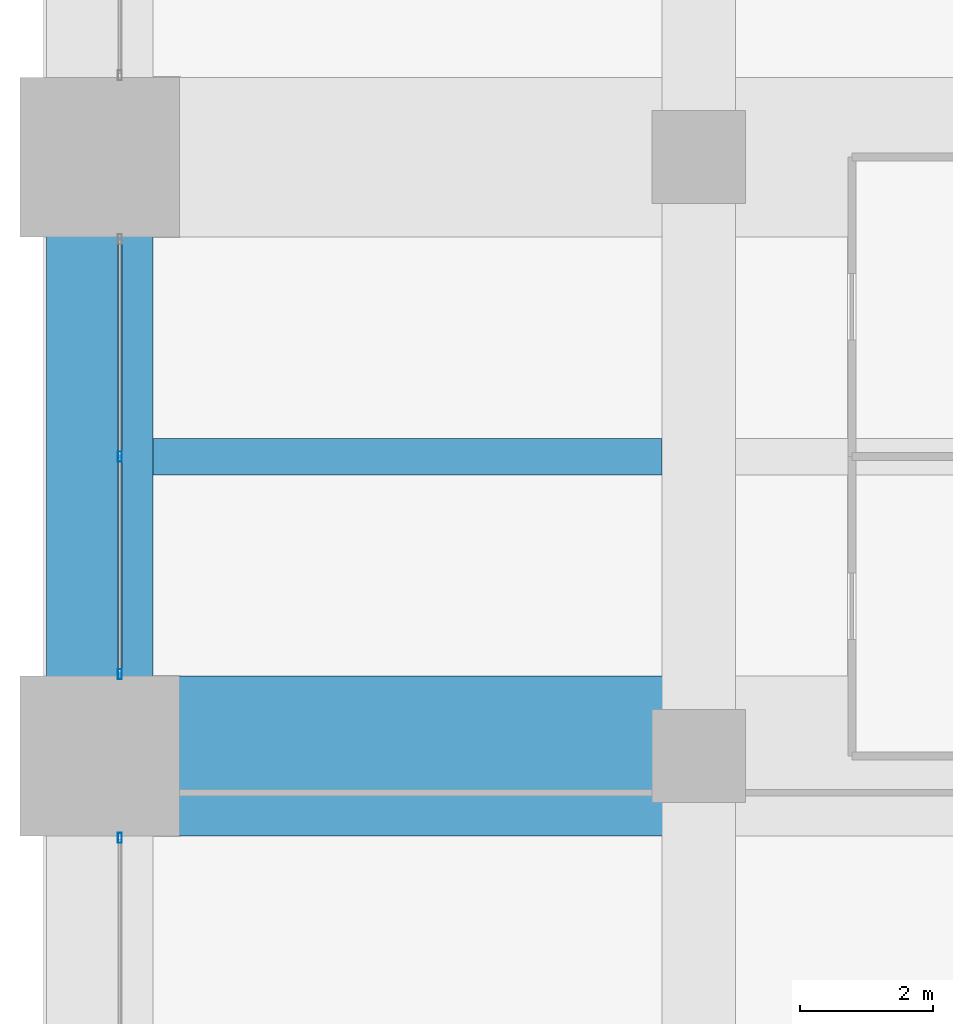
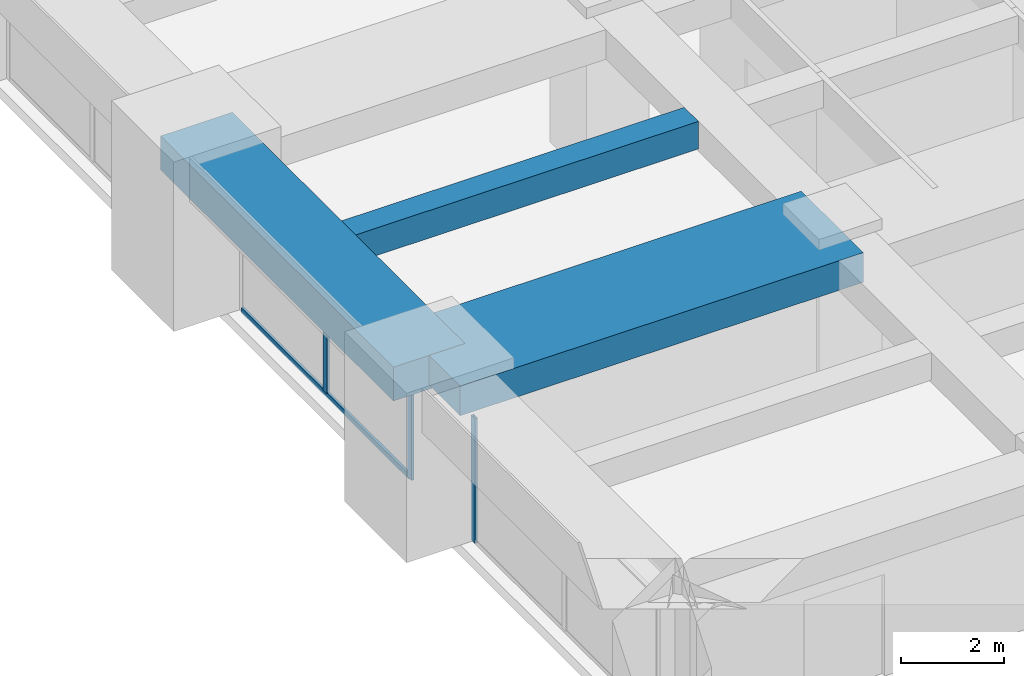
# One storey, part 9 of 34: 4 members, 3 beams, 2 elements without a shape of their own.
"""IFC4 building model written with IfcOpenShell, lengths in metres."""

import ifcopenshell
import ifcopenshell.guid

model = None  # the IFC model being written
_history = None  # IfcOwnerHistory: only IFC2X3 demands one
_inside = {}  # id of a spatial element -> (the spatial element, [elements in it])
_under = {}  # id of a project, library or spatial element -> (it, [spatial elements below it])
_declared = {}  # id of a project -> (the project, [libraries it declares])
_typed = {}  # id of a type object -> (the type object, [elements of that type])
_made_of = {}  # id of a material, layer set ... -> (it, [elements and type objects made of it])


def new_model(schema):
    """Start an empty IFC model of exactly this schema.

    Asked for "IFC4X3", IfcOpenShell would pick the latest addendum, in which some entities
    have other attributes; the version numbers below select the first issue.
    IFC2X3 requires an IfcOwnerHistory on every rooted entity: one is made here for all.
    """
    global model, _history
    if schema == "IFC4X3":
        model = ifcopenshell.file(schema_version=(4, 3, 0, 0))
    else:
        model = ifcopenshell.file(schema=schema)
    _inside.clear()
    _under.clear()
    _declared.clear()
    _typed.clear()
    _made_of.clear()
    _history = None
    if model.schema == "IFC2X3":
        org = make("IfcOrganization", Name="unknown")
        user = make(
            "IfcPersonAndOrganization",
            ThePerson=make("IfcPerson", FamilyName="unknown"),
            TheOrganization=org,
        )
        app = make(
            "IfcApplication",
            ApplicationDeveloper=org,
            Version="unknown",
            ApplicationFullName="unknown",
            ApplicationIdentifier="unknown",
        )
        _history = make(
            "IfcOwnerHistory",
            OwningUser=user,
            OwningApplication=app,
            ChangeAction="ADDED",
            CreationDate=0,
        )
    return model


def make(cls, **values):
    """One entity of the class cls with the attributes given. An attribute that is None is left unset."""
    return model.create_entity(
        cls, **{name: value for name, value in values.items() if value is not None}
    )


def rooted(cls, **values):
    """An entity with a GlobalId (a new one), such as an element, a storey or a relation."""
    return make(cls, GlobalId=ifcopenshell.guid.new(), OwnerHistory=_history, **values)


def si_unit(unit_type, name, prefix=None):
    """IfcSIUnit, for example si_unit("LENGTHUNIT", "METRE", prefix="MILLI")."""
    return make("IfcSIUnit", UnitType=unit_type, Prefix=prefix, Name=name)


def assignment(units):
    """IfcUnitAssignment: the units of a project."""
    return None if units is None else make("IfcUnitAssignment", Units=units)


def point(xyz):
    """IfcCartesianPoint."""
    return None if xyz is None else make("IfcCartesianPoint", Coordinates=xyz)


def direction(xyz):
    """IfcDirection."""
    return None if xyz is None else make("IfcDirection", DirectionRatios=xyz)


def frame(location, z_axis=None, x_axis=None):
    """IfcAxis2Placement3D, a coordinate frame: its origin and axes. An axis left out is left unset."""
    return make(
        "IfcAxis2Placement3D",
        Location=point(location),
        Axis=direction(z_axis),
        RefDirection=direction(x_axis),
    )


def frame_2d(location, x_axis=None):
    """IfcAxis2Placement2D, a coordinate frame in the plane: its origin and x axis."""
    return make(
        "IfcAxis2Placement2D", Location=point(location), RefDirection=direction(x_axis)
    )


def origin():
    """The frame at (0, 0, 0) with its axes left unset."""
    return frame((0.0, 0.0, 0.0))


def origin_2d():
    """The frame at (0, 0) in the plane with its x axis left unset."""
    return frame_2d((0.0, 0.0))


def place(relative_to, where):
    """IfcLocalPlacement: puts the frame where relative to a parent placement (None: the world)."""
    return make(
        "IfcLocalPlacement", PlacementRelTo=relative_to, RelativePlacement=where
    )


def context(
    kind, dimensions, precision=None, world=None, true_north=None, identifier=None
):
    """IfcGeometricRepresentationContext, for example the 3D "Model" context."""
    return make(
        "IfcGeometricRepresentationContext",
        ContextIdentifier=identifier,
        ContextType=kind,
        CoordinateSpaceDimension=dimensions,
        Precision=precision,
        WorldCoordinateSystem=world,
        TrueNorth=true_north,
    )


def subcontext(parent, identifier, kind, view, scale=None):
    """IfcGeometricRepresentationSubContext, for example "Body" below "Model"."""
    return make(
        "IfcGeometricRepresentationSubContext",
        ContextIdentifier=identifier,
        ContextType=kind,
        ParentContext=parent,
        TargetScale=scale,
        TargetView=view,
    )


def project(units=None, contexts=None):
    """IfcProject with its units and contexts."""
    return rooted(
        "IfcProject",
        Name="project",
        RepresentationContexts=contexts,
        UnitsInContext=assignment(units),
    )


def spatial(cls, under=None, at=None, **own):
    """A site, building, storey or space (cls), placed at a placement, below another one or the project."""
    s = rooted(cls, ObjectPlacement=at, **own)
    if under is not None:
        _under.setdefault(under.id(), (under, []))[1].append(s)
    return s


def profile(cls, at=None, kind="AREA", **sizes):
    """A parametric profile (cls). Its sizes go by their IFC names, for example OverallWidth=200.0."""
    return make(cls, ProfileType=kind, Position=at, **sizes)


def rectangle(**sizes):
    """IfcRectangleProfileDef."""
    return profile("IfcRectangleProfileDef", **sizes)


def hollow_rectangle(**sizes):
    """IfcRectangleHollowProfileDef."""
    return profile("IfcRectangleHollowProfileDef", **sizes)


def extrude(swept, where, along, depth):
    """IfcExtrudedAreaSolid: the profile swept, set in the frame where, extruded along a direction by depth."""
    return make(
        "IfcExtrudedAreaSolid",
        SweptArea=swept,
        Position=where,
        ExtrudedDirection=direction(along),
        Depth=depth,
    )


def shape(context_of_items, identifier, shape_type, items):
    """IfcShapeRepresentation: the items that make up one representation, for example the "Body"."""
    return make(
        "IfcShapeRepresentation",
        ContextOfItems=context_of_items,
        RepresentationIdentifier=identifier,
        RepresentationType=shape_type,
        Items=items,
    )


def material(Name=None, Category=None):
    """IfcMaterial."""
    return make("IfcMaterial", Name=Name, Category=Category)


def material_profile(
    of_material, cross_section, Name=None, Category=None, Priority=None
):
    """IfcMaterialProfile: a cross section and its material."""
    return make(
        "IfcMaterialProfile",
        Name=Name,
        Material=of_material,
        Profile=cross_section,
        Priority=Priority,
        Category=Category,
    )


def profile_set(profiles, Name=None, composite=None):
    """IfcMaterialProfileSet."""
    return make(
        "IfcMaterialProfileSet",
        Name=Name,
        MaterialProfiles=profiles,
        CompositeProfile=composite,
    )


def made_of(thing, what):
    """Note that an element or type object is made of a material, layer set ...; save() writes the relation."""
    if what is not None:
        _made_of.setdefault(what.id(), (what, []))[1].append(thing)
    return thing


def type_object(cls, material=None, **own):
    """A type object (cls), such as IfcWallType, which elements share."""
    return made_of(rooted(cls, **own), material)


def element(
    cls,
    number,
    at=None,
    inside=None,
    cuts=None,
    type_object=None,
    material=None,
    context=None,
    identifier="Body",
    shape_type=None,
    held_by="IfcProductDefinitionShape",
    body=None,
    shapes=None,
    **own,
):
    """One element of the class cls, such as IfcWall. Its Tag is "e" and its number.

    at: its placement. inside: the storey or other place that contains it. cuts: it is an
    opening in that element (IfcRelVoidsElement). A single representation is given by context,
    identifier, shape_type and body (its items); several are given by shapes. held_by: the class
    of the entity that holds the representations. save() writes the other relations.
    """
    e = rooted(cls, Tag="e%d" % number, ObjectPlacement=at, **own)
    if body is not None:
        shapes = [shape(context, identifier, shape_type, body)]
    if shapes is not None:
        e.Representation = make(held_by, Representations=shapes)
    if inside is not None:
        _inside.setdefault(inside.id(), (inside, []))[1].append(e)
    if cuts is not None:
        rooted(
            "IfcRelVoidsElement", RelatingBuildingElement=cuts, RelatedOpeningElement=e
        )
    if type_object is not None:
        _typed.setdefault(type_object.id(), (type_object, []))[1].append(e)
    return made_of(e, material)


def aggregate(whole, parts):
    """IfcRelAggregates: a whole, such as a stair, and the parts it consists of."""
    return rooted("IfcRelAggregates", RelatingObject=whole, RelatedObjects=parts)


def save(model, path):
    """Write the relations noted so far, then the file.

    IfcRelAggregates (storeys below a building ...), IfcRelContainedInSpatialStructure (elements
    in a storey), IfcRelDefinesByType, IfcRelAssociatesMaterial and IfcRelDeclares: one each for
    every whole, place, type object, material and project.
    """
    for whole, parts in _under.values():
        aggregate(whole, parts)
    for where, things in _inside.values():
        rooted(
            "IfcRelContainedInSpatialStructure",
            RelatedElements=things,
            RelatingStructure=where,
        )
    for kind, things in _typed.values():
        rooted("IfcRelDefinesByType", RelatedObjects=things, RelatingType=kind)
    for what, things in _made_of.values():
        rooted("IfcRelAssociatesMaterial", RelatedObjects=things, RelatingMaterial=what)
    for by, libraries in _declared.values():
        rooted("IfcRelDeclares", RelatingContext=by, RelatedDefinitions=libraries)
    model.write(path)


model = new_model("IFC4")

# Units and contexts
model_context = context("Model", 3, precision=1e-05, world=origin(), true_north=direction((0.0, 1.0)))
body_context = subcontext(model_context, "Body", "Model", "MODEL_VIEW")
ifc_project = project(units=[si_unit("LENGTHUNIT", "METRE"), si_unit("AREAUNIT", "SQUARE_METRE"), si_unit("VOLUMEUNIT", "CUBIC_METRE"), si_unit("PLANEANGLEUNIT", "RADIAN"), si_unit("MASSUNIT", "GRAM", prefix="KILO")], contexts=[model_context])

# Site, building, storey
site_placement = place(None, origin())
site = spatial("IfcSite", under=ifc_project, at=site_placement, CompositionType="ELEMENT")
building_placement = place(site_placement, origin())
building = spatial("IfcBuilding", under=site, at=building_placement, Name="Zorevar Civic Tower", CompositionType="ELEMENT")
storey_placement = place(building_placement, frame((0.0, 0.0, 226.199951171875)))
storey = spatial("IfcBuildingStorey", under=building, at=storey_placement, Name="L55", CompositionType="ELEMENT", Elevation=226.199951171875)

# Beams
ifc_material_1 = material(Name="Concrete C50/60", Category="concrete")
ifc_material_profile_1 = material_profile(ifc_material_1, rectangle(XDim=2.39990234375, YDim=0.699951171875, at=origin_2d()), Name="RC 2400x700")
ifc_profile_set_1 = profile_set([ifc_material_profile_1], Name="Concrete C50/60")
beam_type_1 = type_object("IfcBeamType", Name="Beam RC 2400x700", PredefinedType="BEAM", material=ifc_profile_set_1)
beam_1_placement = place(storey_placement, frame((0.0, 18.0, 3.400146484375), z_axis=(1.0, 0.0, 0.0), x_axis=(0.0, 1.0, 0.0)))
element("IfcBeam", 1, at=beam_1_placement, inside=storey, type_object=beam_type_1, Name="Girder L56", PredefinedType="BEAM", context=body_context, shape_type="SweptSolid", body=[
    extrude(rectangle(XDim=2.39990234375, YDim=0.699951171875, at=origin_2d()), origin(), (0.0, 0.0, 1.0), 9.0),
])
ifc_material_2 = material(Name="Concrete C50/60", Category="concrete")
ifc_material_profile_2 = material_profile(ifc_material_2, rectangle(XDim=0.550048828125, YDim=0.64990234375, at=origin_2d()), Name="RC 550x650")
ifc_profile_set_2 = profile_set([ifc_material_profile_2], Name="Concrete C50/60")
beam_type_2 = type_object("IfcBeamType", Name="Beam RC 550x650", PredefinedType="BEAM", material=ifc_profile_set_2)
beam_2_placement = place(storey_placement, frame((0.800048828125, 22.5, 3.425048828125), z_axis=(1.0, 0.0, 0.0), x_axis=(0.0, 1.0, 0.0)))
element("IfcBeam", 2, at=beam_2_placement, inside=storey, type_object=beam_type_2, Name="Secondary beam L56", PredefinedType="BEAM", context=body_context, shape_type="SweptSolid", body=[
    extrude(rectangle(XDim=0.550048828125, YDim=0.64990234375, at=origin_2d()), origin(), (0.0, 0.0, 1.0), 7.64990234375),
])

# Curtain wall, member
ifc_material_3 = material(Name="Dark grey solar-control glass in black aluminium frame", Category="aluminium")
curtain_wall_type = type_object("IfcCurtainWallType", Name="Curtain wall CW4 high zone", PredefinedType="NOTDEFINED", material=ifc_material_3)
curtain_wall_1_placement = place(storey_placement, origin())
curtain_wall_1 = element("IfcCurtainWall", 3, at=curtain_wall_1_placement, inside=storey, type_object=curtain_wall_type, Name="CW4 L55", PredefinedType="NOTDEFINED")
ifc_material_4 = material(Name="Aluminium, black anodised", Category="aluminium")
ifc_material_profile_3 = material_profile(ifc_material_4, hollow_rectangle(XDim=0.06005859375, YDim=0.14990234375, WallThickness=0.00390625, at=origin_2d()), Name="AL 150x60x4")
ifc_profile_set_3 = profile_set([ifc_material_profile_3], Name="Aluminium, black anodised")
member_type_1 = type_object("IfcMemberType", Name="CW4 mullion AL 150x60x4", PredefinedType="MULLION", material=ifc_profile_set_3)
member_1_placement = place(storey_placement, frame((0.300048828125, 16.77001953125, 0.0), z_axis=(0.0, 0.0, 1.0), x_axis=(-1.0, 0.0, 0.0)))
member_1 = element("IfcMember", 4, at=member_1_placement, type_object=member_type_1, Name="CW4 mullion 3", PredefinedType="MULLION", context=body_context, shape_type="SweptSolid", body=[
    extrude(hollow_rectangle(XDim=0.06005859375, YDim=0.14990234375, WallThickness=0.00390625, at=origin_2d()), origin(), (0.0, 0.0, 1.0), 2.949951171875),
])
aggregate(curtain_wall_1, [member_1])

# Curtain wall, members
curtain_wall_2_placement = place(storey_placement, origin())
curtain_wall_2 = element("IfcCurtainWall", 5, at=curtain_wall_2_placement, inside=storey, type_object=curtain_wall_type, Name="CW4 L55", PredefinedType="NOTDEFINED")
member_2_placement = place(storey_placement, frame((0.300048828125, 19.22998046875, 0.0), z_axis=(0.0, 0.0, 1.0), x_axis=(-1.0, 0.0, 0.0)))
member_2 = element("IfcMember", 6, at=member_2_placement, type_object=member_type_1, Name="CW4 mullion 1", PredefinedType="MULLION", context=body_context, shape_type="SweptSolid", body=[
    extrude(hollow_rectangle(XDim=0.06005859375, YDim=0.14990234375, WallThickness=0.00390625, at=origin_2d()), origin(), (0.0, 0.0, 1.0), 2.949951171875),
])
member_3_placement = place(storey_placement, frame((0.300048828125, 22.5, 0.06005859375), z_axis=(0.0, 0.0, 1.0), x_axis=(-1.0, 0.0, 0.0)))
member_3 = element("IfcMember", 7, at=member_3_placement, type_object=member_type_1, Name="CW4 mullion 2", PredefinedType="MULLION", context=body_context, shape_type="SweptSolid", body=[
    extrude(hollow_rectangle(XDim=0.06005859375, YDim=0.14990234375, WallThickness=0.00390625, at=origin_2d()), origin(), (0.0, 0.0, 1.0), 2.889892578125),
])
ifc_material_5 = material(Name="Aluminium, black anodised", Category="aluminium")
ifc_material_profile_4 = material_profile(ifc_material_5, hollow_rectangle(XDim=0.06005859375, YDim=0.1201171875, WallThickness=0.0029296875, at=origin_2d()), Name="AL 120x60x3")
ifc_profile_set_4 = profile_set([ifc_material_profile_4], Name="Aluminium, black anodised")
member_type_2 = type_object("IfcMemberType", Name="CW4 transom AL 120x60x3", PredefinedType="USERDEFINED", material=ifc_profile_set_4)
member_4_placement = place(storey_placement, frame((0.300048828125, 19.260009765625, 0.030029296875), z_axis=(0.0, 1.0, 0.0), x_axis=(-1.0, 0.0, 0.0)))
member_4 = element("IfcMember", 8, at=member_4_placement, type_object=member_type_2, Name="CW4 sill transom", ObjectType="TRANSOM", PredefinedType="USERDEFINED", context=body_context, shape_type="SweptSolid", body=[
    extrude(hollow_rectangle(XDim=0.06005859375, YDim=0.1201171875, WallThickness=0.0029296875, at=origin_2d()), origin(), (0.0, 0.0, 1.0), 6.47998046875),
])
aggregate(curtain_wall_2, [member_2, member_3, member_4])

# Beam
ifc_material_6 = material(Name="Concrete C50/60", Category="concrete")
ifc_material_profile_5 = material_profile(ifc_material_6, rectangle(XDim=1.60009765625, YDim=0.800048828125, at=origin_2d()), Name="RC 1600x800")
ifc_profile_set_5 = profile_set([ifc_material_profile_5], Name="Concrete C50/60")
beam_type_3 = type_object("IfcBeamType", Name="Edge beam RC 1600x800", PredefinedType="SPANDREL", material=ifc_profile_set_5)
beam_3_placement = place(storey_placement, frame((0.0, 18.0, 3.35009765625), z_axis=(0.0, 1.0, 0.0), x_axis=(-1.0, 0.0, 0.0)))
element("IfcBeam", 9, at=beam_3_placement, inside=storey, type_object=beam_type_3, Name="Edge beam L56", PredefinedType="SPANDREL", context=body_context, shape_type="SweptSolid", body=[
    extrude(rectangle(XDim=1.60009765625, YDim=0.800048828125, at=origin_2d()), origin(), (0.0, 0.0, 1.0), 9.0),
])

save(model, "model.ifc")
